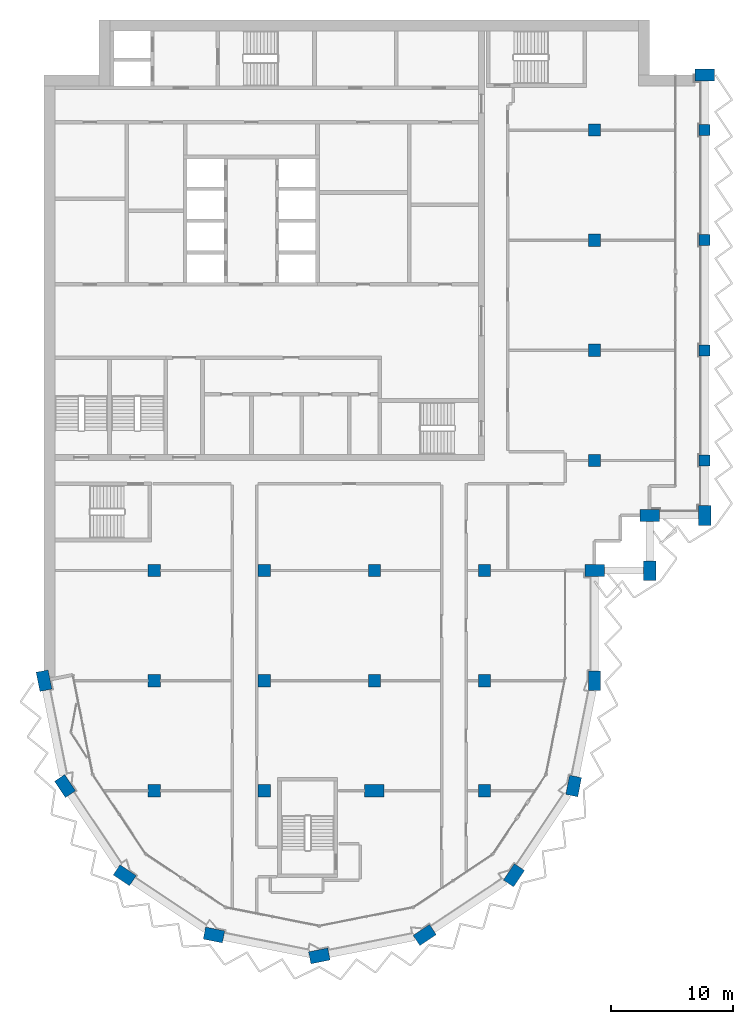
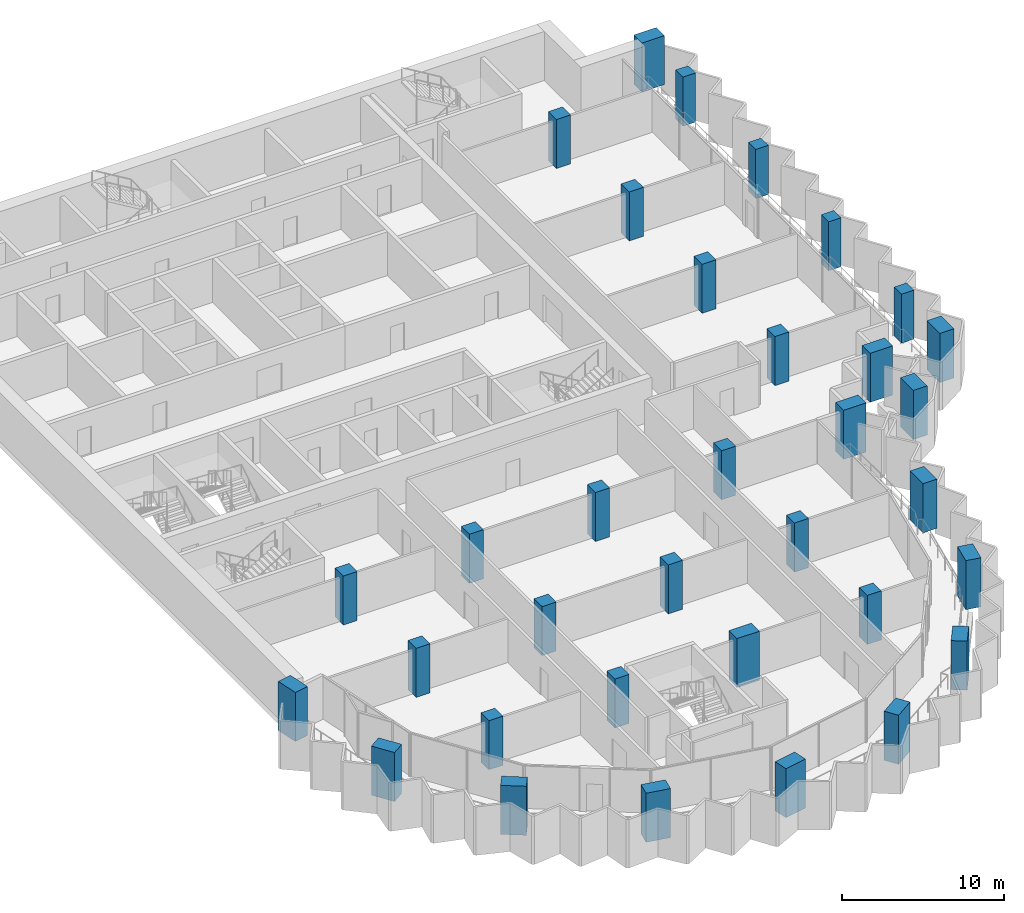
# One storey, part 1 of 17: 34 columns.
"""IFC4 building model written with IfcOpenShell, lengths in metres."""

from ifc_helpers import new_model, si_unit, direction, frame, origin, origin_2d, place, context, subcontext, project, spatial, rectangle, extrude, material, material_profile, profile_set, type_object, element, save


model = new_model("IFC4")

# Units and contexts
model_context = context("Model", 3, precision=1e-05, world=origin(), true_north=direction((0.0, 1.0)))
body_context = subcontext(model_context, "Body", "Model", "MODEL_VIEW")
ifc_project = project(units=[si_unit("LENGTHUNIT", "METRE"), si_unit("AREAUNIT", "SQUARE_METRE"), si_unit("VOLUMEUNIT", "CUBIC_METRE"), si_unit("PLANEANGLEUNIT", "RADIAN"), si_unit("MASSUNIT", "GRAM", prefix="KILO")], contexts=[model_context])

# Site, building, storey
site_placement = place(None, origin())
site = spatial("IfcSite", under=ifc_project, at=site_placement, CompositionType="ELEMENT")
building_placement = place(site_placement, origin())
building = spatial("IfcBuilding", under=site, at=building_placement, Name="Hunhe Ridgeline Campus", CompositionType="ELEMENT")
storey_placement = place(building_placement, frame((0.0, 0.0, 268.800048828125)))
storey = spatial("IfcBuildingStorey", under=building, at=storey_placement, Name="L69", CompositionType="ELEMENT", Elevation=268.800048828125)

# Columns
ifc_material = material(Name="Concrete C60", Category="concrete")
ifc_material_profile_1 = material_profile(ifc_material, rectangle(XDim=1.60009765625, YDim=1.0, at=origin_2d()))
ifc_profile_set_1 = profile_set([ifc_material_profile_1], Name="Concrete C60")
column_type_1 = type_object("IfcColumnType", Name="Megacolumn 1600x1000 Concrete C60", PredefinedType="COLUMN", material=ifc_profile_set_1)
for number, where, z_axis, x_axis, name in (
    (1, (22.5, 22.5, 0.0), (0.0, 0.0, 1.0), (0.980785280403, 0.195090322016, 0.0), "Column C14 R13 L69"),
    (2, (13.8896484375, 24.212646484375, 0.0), (0.0, 0.0, 1.0), (-0.980785280403, 0.195090322016, 0.0), "Column C14 R14 L69"),
    (3, (31.1103515625, 24.212646484375, 0.0), (0.0, 0.0, 1.0), (0.831469612303, 0.55557023302, 0.0), "Column C14 R15 L69"),
    (4, (6.590087890625, 29.090087890625, 0.0), (0.0, 0.0, 1.0), (-0.831469612303, 0.55557023302, 0.0), "Column C14 R18 L69"),
    (5, (38.409912109375, 29.090087890625, 0.0), (0.0, 0.0, 1.0), (0.55557023302, 0.831469612303, 0.0), "Column C14 R19 L69"),
    (6, (1.712646484375, 36.3896484375, 0.0), (0.0, 0.0, 1.0), (-0.55557023302, 0.831469612303, 0.0), "Column C14 R23 L69"),
    (7, (43.287353515625, 36.3896484375, 0.0), (0.0, 0.0, 1.0), (0.195090322016, 0.980785280403, 0.0), "Column C14 R24 L69"),
    (8, (0.0, 45.0, 0.0), (0.0, 0.0, 1.0), (-0.195090322016, 0.980785280403, 0.0), "Column C14 F1 L69"),
    (9, (45.0, 45.0, 0.0), (0.0, 0.0, 1.0), (0.0, 1.0, 0.0), "Column C14 F6 L69"),
    (10, (45.0, 54.0, 0.0), (0.0, 0.0, 1.0), (1.0, 0.0, 0.0), "Column C14 G6 L69"),
    (11, (49.5, 54.0, 0.0), (0.0, 0.0, 1.0), (0.0, 1.0, 0.0), "Column C14 R29 L69"),
    (12, (49.5, 58.5, 0.0), (0.0, 0.0, 1.0), (1.0, 0.0, 0.0), "Column C14 R33 L69"),
    (13, (54.0, 58.5, 0.0), (0.0, 0.0, 1.0), (0.0, 1.0, 0.0), "Column C14 R34 L69"),
    (14, (54.0, 94.5, 0.0), (0.0, 0.0, 1.0), (1.0, 0.0, 0.0), "Column C14 R41 L69"),
    (15, (27.0, 36.0, 0.0), (0.0, 0.0, 1.0), (1.0, 0.0, 0.0), "Column C14 E4 L69"),
):
    element("IfcColumn", number, at=place(storey_placement, frame(where, z_axis=z_axis, x_axis=x_axis)), inside=storey, type_object=column_type_1, Name=name, PredefinedType="COLUMN", context=body_context, shape_type="SweptSolid", body=[
        extrude(rectangle(XDim=1.60009765625, YDim=1.0, at=origin_2d()), origin(), (0.0, 0.0, 1.0), 3.699951171875),
    ])
ifc_material_profile_2 = material_profile(ifc_material, rectangle(XDim=1.0, YDim=1.0, at=origin_2d()))
ifc_profile_set_2 = profile_set([ifc_material_profile_2], Name="Concrete C60")
column_type_2 = type_object("IfcColumnType", Name="RC column 1000x1000 Concrete C60", PredefinedType="COLUMN", material=ifc_profile_set_2)
for number, where, z_axis, x_axis, name in (
    (16, (9.0, 36.0, 0.0), (0.0, 0.0, 1.0), (1.0, 0.0, 0.0), "Column C12 E2 L69"),
    (17, (9.0, 45.0, 0.0), (0.0, 0.0, 1.0), (1.0, 0.0, 0.0), "Column C12 F2 L69"),
    (18, (9.0, 54.0, 0.0), (0.0, 0.0, 1.0), (1.0, 0.0, 0.0), "Column C12 G2 L69"),
    (19, (18.0, 36.0, 0.0), (0.0, 0.0, 1.0), (1.0, 0.0, 0.0), "Column C12 E3 L69"),
    (20, (18.0, 45.0, 0.0), (0.0, 0.0, 1.0), (1.0, 0.0, 0.0), "Column C12 F3 L69"),
    (21, (18.0, 54.0, 0.0), (0.0, 0.0, 1.0), (1.0, 0.0, 0.0), "Column C12 G3 L69"),
    (22, (27.0, 45.0, 0.0), (0.0, 0.0, 1.0), (1.0, 0.0, 0.0), "Column C12 F4 L69"),
    (23, (27.0, 54.0, 0.0), (0.0, 0.0, 1.0), (1.0, 0.0, 0.0), "Column C12 G4 L69"),
    (24, (36.0, 36.0, 0.0), (0.0, 0.0, 1.0), (1.0, 0.0, 0.0), "Column C12 E5 L69"),
    (25, (36.0, 45.0, 0.0), (0.0, 0.0, 1.0), (1.0, 0.0, 0.0), "Column C12 F5 L69"),
    (26, (36.0, 54.0, 0.0), (0.0, 0.0, 1.0), (1.0, 0.0, 0.0), "Column C12 G5 L69"),
    (27, (45.0, 63.0, 0.0), (0.0, 0.0, 1.0), (1.0, 0.0, 0.0), "Column C12 H6 L69"),
    (28, (45.0, 72.0, 0.0), (0.0, 0.0, 1.0), (1.0, 0.0, 0.0), "Column C12 I6 L69"),
    (29, (45.0, 81.0, 0.0), (0.0, 0.0, 1.0), (1.0, 0.0, 0.0), "Column C12 J6 L69"),
    (30, (45.0, 90.0, 0.0), (0.0, 0.0, 1.0), (1.0, 0.0, 0.0), "Column C12 K6 L69"),
):
    element("IfcColumn", number, at=place(storey_placement, frame(where, z_axis=z_axis, x_axis=x_axis)), inside=storey, type_object=column_type_2, Name=name, PredefinedType="COLUMN", context=body_context, shape_type="SweptSolid", body=[
        extrude(rectangle(XDim=1.0, YDim=1.0, at=origin_2d()), origin(), (0.0, 0.0, 1.0), 3.699951171875),
    ])
ifc_material_profile_3 = material_profile(ifc_material, rectangle(XDim=0.89990234375, YDim=0.89990234375, at=origin_2d()))
ifc_profile_set_3 = profile_set([ifc_material_profile_3], Name="Concrete C60")
column_type_3 = type_object("IfcColumnType", Name="RC column 900x900 Concrete C60", PredefinedType="COLUMN", material=ifc_profile_set_3)
for number, where, z_axis, x_axis, name in (
    (31, (54.0, 63.0, 0.0), (0.0, 0.0, 1.0), (1.0, 0.0, 0.0), "Column C15 H7 L69"),
    (32, (54.0, 72.0, 0.0), (0.0, 0.0, 1.0), (1.0, 0.0, 0.0), "Column C15 I7 L69"),
    (33, (54.0, 81.0, 0.0), (0.0, 0.0, 1.0), (1.0, 0.0, 0.0), "Column C15 J7 L69"),
    (34, (54.0, 90.0, 0.0), (0.0, 0.0, 1.0), (1.0, 0.0, 0.0), "Column C15 K7 L69"),
):
    element("IfcColumn", number, at=place(storey_placement, frame(where, z_axis=z_axis, x_axis=x_axis)), inside=storey, type_object=column_type_3, Name=name, PredefinedType="COLUMN", context=body_context, shape_type="SweptSolid", body=[
        extrude(rectangle(XDim=0.89990234375, YDim=0.89990234375, at=origin_2d()), origin(), (0.0, 0.0, 1.0), 3.699951171875),
    ])

save(model, "model.ifc")
